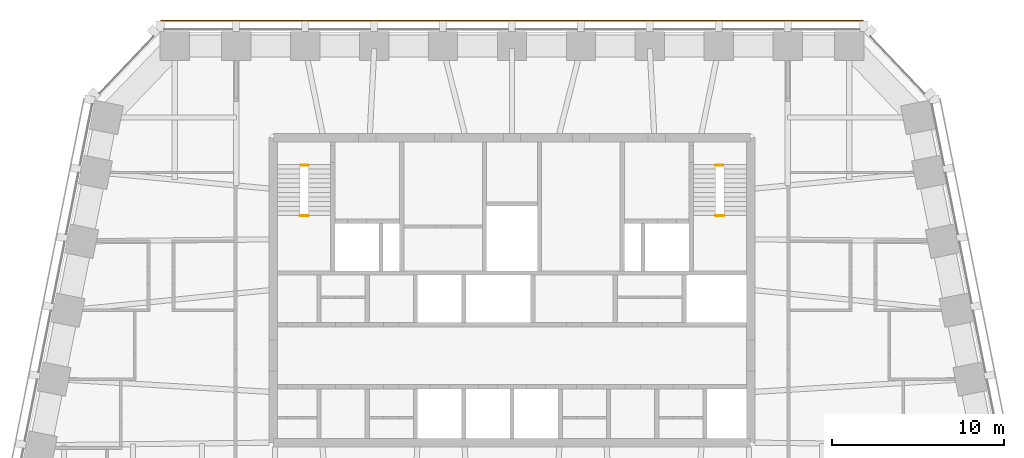
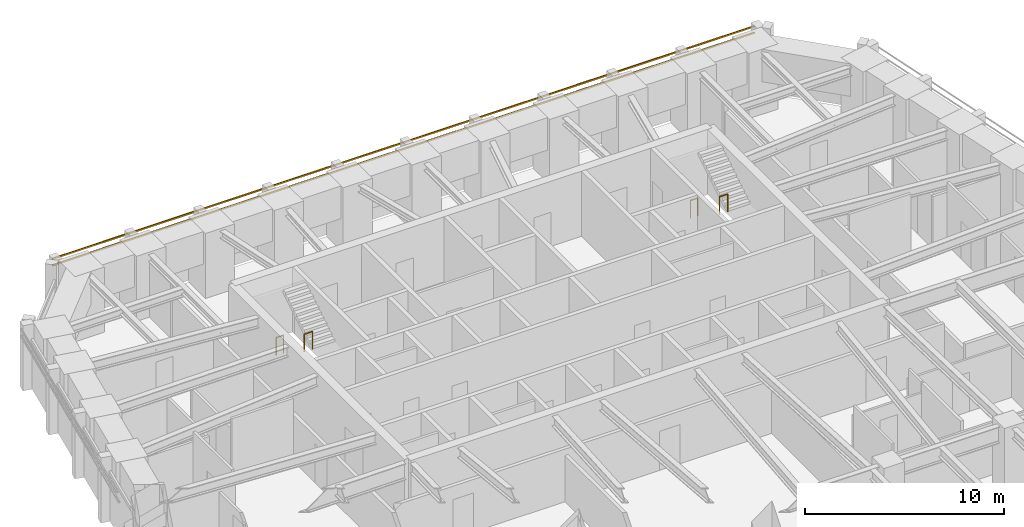
# One storey, part 11 of 11: 4 railings, 2 shading devices.
"""IFC4 building model written with IfcOpenShell, lengths in metres."""

import ifcopenshell
import ifcopenshell.guid

model = None  # the IFC model being written
_history = None  # IfcOwnerHistory: only IFC2X3 demands one
_inside = {}  # id of a spatial element -> (the spatial element, [elements in it])
_under = {}  # id of a project, library or spatial element -> (it, [spatial elements below it])
_declared = {}  # id of a project -> (the project, [libraries it declares])
_typed = {}  # id of a type object -> (the type object, [elements of that type])
_made_of = {}  # id of a material, layer set ... -> (it, [elements and type objects made of it])


def new_model(schema):
    """Start an empty IFC model of exactly this schema.

    Asked for "IFC4X3", IfcOpenShell would pick the latest addendum, in which some entities
    have other attributes; the version numbers below select the first issue.
    IFC2X3 requires an IfcOwnerHistory on every rooted entity: one is made here for all.
    """
    global model, _history
    if schema == "IFC4X3":
        model = ifcopenshell.file(schema_version=(4, 3, 0, 0))
    else:
        model = ifcopenshell.file(schema=schema)
    _inside.clear()
    _under.clear()
    _declared.clear()
    _typed.clear()
    _made_of.clear()
    _history = None
    if model.schema == "IFC2X3":
        org = make("IfcOrganization", Name="unknown")
        user = make(
            "IfcPersonAndOrganization",
            ThePerson=make("IfcPerson", FamilyName="unknown"),
            TheOrganization=org,
        )
        app = make(
            "IfcApplication",
            ApplicationDeveloper=org,
            Version="unknown",
            ApplicationFullName="unknown",
            ApplicationIdentifier="unknown",
        )
        _history = make(
            "IfcOwnerHistory",
            OwningUser=user,
            OwningApplication=app,
            ChangeAction="ADDED",
            CreationDate=0,
        )
    return model


def make(cls, **values):
    """One entity of the class cls with the attributes given. An attribute that is None is left unset."""
    return model.create_entity(
        cls, **{name: value for name, value in values.items() if value is not None}
    )


def rooted(cls, **values):
    """An entity with a GlobalId (a new one), such as an element, a storey or a relation."""
    return make(cls, GlobalId=ifcopenshell.guid.new(), OwnerHistory=_history, **values)


def si_unit(unit_type, name, prefix=None):
    """IfcSIUnit, for example si_unit("LENGTHUNIT", "METRE", prefix="MILLI")."""
    return make("IfcSIUnit", UnitType=unit_type, Prefix=prefix, Name=name)


def assignment(units):
    """IfcUnitAssignment: the units of a project."""
    return None if units is None else make("IfcUnitAssignment", Units=units)


def point(xyz):
    """IfcCartesianPoint."""
    return None if xyz is None else make("IfcCartesianPoint", Coordinates=xyz)


def direction(xyz):
    """IfcDirection."""
    return None if xyz is None else make("IfcDirection", DirectionRatios=xyz)


def frame(location, z_axis=None, x_axis=None):
    """IfcAxis2Placement3D, a coordinate frame: its origin and axes. An axis left out is left unset."""
    return make(
        "IfcAxis2Placement3D",
        Location=point(location),
        Axis=direction(z_axis),
        RefDirection=direction(x_axis),
    )


def frame_2d(location, x_axis=None):
    """IfcAxis2Placement2D, a coordinate frame in the plane: its origin and x axis."""
    return make(
        "IfcAxis2Placement2D", Location=point(location), RefDirection=direction(x_axis)
    )


def origin():
    """The frame at (0, 0, 0) with its axes left unset."""
    return frame((0.0, 0.0, 0.0))


def origin_2d():
    """The frame at (0, 0) in the plane with its x axis left unset."""
    return frame_2d((0.0, 0.0))


def place(relative_to, where):
    """IfcLocalPlacement: puts the frame where relative to a parent placement (None: the world)."""
    return make(
        "IfcLocalPlacement", PlacementRelTo=relative_to, RelativePlacement=where
    )


def context(
    kind, dimensions, precision=None, world=None, true_north=None, identifier=None
):
    """IfcGeometricRepresentationContext, for example the 3D "Model" context."""
    return make(
        "IfcGeometricRepresentationContext",
        ContextIdentifier=identifier,
        ContextType=kind,
        CoordinateSpaceDimension=dimensions,
        Precision=precision,
        WorldCoordinateSystem=world,
        TrueNorth=true_north,
    )


def subcontext(parent, identifier, kind, view, scale=None):
    """IfcGeometricRepresentationSubContext, for example "Body" below "Model"."""
    return make(
        "IfcGeometricRepresentationSubContext",
        ContextIdentifier=identifier,
        ContextType=kind,
        ParentContext=parent,
        TargetScale=scale,
        TargetView=view,
    )


def project(units=None, contexts=None):
    """IfcProject with its units and contexts."""
    return rooted(
        "IfcProject",
        Name="project",
        RepresentationContexts=contexts,
        UnitsInContext=assignment(units),
    )


def spatial(cls, under=None, at=None, **own):
    """A site, building, storey or space (cls), placed at a placement, below another one or the project."""
    s = rooted(cls, ObjectPlacement=at, **own)
    if under is not None:
        _under.setdefault(under.id(), (under, []))[1].append(s)
    return s


def profile(cls, at=None, kind="AREA", **sizes):
    """A parametric profile (cls). Its sizes go by their IFC names, for example OverallWidth=200.0."""
    return make(cls, ProfileType=kind, Position=at, **sizes)


def rectangle(**sizes):
    """IfcRectangleProfileDef."""
    return profile("IfcRectangleProfileDef", **sizes)


def circle(**sizes):
    """IfcCircleProfileDef."""
    return profile("IfcCircleProfileDef", **sizes)


def extrude(swept, where, along, depth):
    """IfcExtrudedAreaSolid: the profile swept, set in the frame where, extruded along a direction by depth."""
    return make(
        "IfcExtrudedAreaSolid",
        SweptArea=swept,
        Position=where,
        ExtrudedDirection=direction(along),
        Depth=depth,
    )


def shape(context_of_items, identifier, shape_type, items):
    """IfcShapeRepresentation: the items that make up one representation, for example the "Body"."""
    return make(
        "IfcShapeRepresentation",
        ContextOfItems=context_of_items,
        RepresentationIdentifier=identifier,
        RepresentationType=shape_type,
        Items=items,
    )


def material(Name=None, Category=None):
    """IfcMaterial."""
    return make("IfcMaterial", Name=Name, Category=Category)


def material_profile(
    of_material, cross_section, Name=None, Category=None, Priority=None
):
    """IfcMaterialProfile: a cross section and its material."""
    return make(
        "IfcMaterialProfile",
        Name=Name,
        Material=of_material,
        Profile=cross_section,
        Priority=Priority,
        Category=Category,
    )


def profile_set(profiles, Name=None, composite=None):
    """IfcMaterialProfileSet."""
    return make(
        "IfcMaterialProfileSet",
        Name=Name,
        MaterialProfiles=profiles,
        CompositeProfile=composite,
    )


def made_of(thing, what):
    """Note that an element or type object is made of a material, layer set ...; save() writes the relation."""
    if what is not None:
        _made_of.setdefault(what.id(), (what, []))[1].append(thing)
    return thing


def type_object(cls, material=None, **own):
    """A type object (cls), such as IfcWallType, which elements share."""
    return made_of(rooted(cls, **own), material)


def element(
    cls,
    number,
    at=None,
    inside=None,
    cuts=None,
    type_object=None,
    material=None,
    context=None,
    identifier="Body",
    shape_type=None,
    held_by="IfcProductDefinitionShape",
    body=None,
    shapes=None,
    **own,
):
    """One element of the class cls, such as IfcWall. Its Tag is "e" and its number.

    at: its placement. inside: the storey or other place that contains it. cuts: it is an
    opening in that element (IfcRelVoidsElement). A single representation is given by context,
    identifier, shape_type and body (its items); several are given by shapes. held_by: the class
    of the entity that holds the representations. save() writes the other relations.
    """
    e = rooted(cls, Tag="e%d" % number, ObjectPlacement=at, **own)
    if body is not None:
        shapes = [shape(context, identifier, shape_type, body)]
    if shapes is not None:
        e.Representation = make(held_by, Representations=shapes)
    if inside is not None:
        _inside.setdefault(inside.id(), (inside, []))[1].append(e)
    if cuts is not None:
        rooted(
            "IfcRelVoidsElement", RelatingBuildingElement=cuts, RelatedOpeningElement=e
        )
    if type_object is not None:
        _typed.setdefault(type_object.id(), (type_object, []))[1].append(e)
    return made_of(e, material)


def aggregate(whole, parts):
    """IfcRelAggregates: a whole, such as a stair, and the parts it consists of."""
    return rooted("IfcRelAggregates", RelatingObject=whole, RelatedObjects=parts)


def save(model, path):
    """Write the relations noted so far, then the file.

    IfcRelAggregates (storeys below a building ...), IfcRelContainedInSpatialStructure (elements
    in a storey), IfcRelDefinesByType, IfcRelAssociatesMaterial and IfcRelDeclares: one each for
    every whole, place, type object, material and project.
    """
    for whole, parts in _under.values():
        aggregate(whole, parts)
    for where, things in _inside.values():
        rooted(
            "IfcRelContainedInSpatialStructure",
            RelatedElements=things,
            RelatingStructure=where,
        )
    for kind, things in _typed.values():
        rooted("IfcRelDefinesByType", RelatedObjects=things, RelatingType=kind)
    for what, things in _made_of.values():
        rooted("IfcRelAssociatesMaterial", RelatedObjects=things, RelatingMaterial=what)
    for by, libraries in _declared.values():
        rooted("IfcRelDeclares", RelatingContext=by, RelatedDefinitions=libraries)
    model.write(path)


model = new_model("IFC4")

# Units and contexts
model_context = context("Model", 3, precision=1e-05, world=origin(), true_north=direction((0.0, 1.0)))
body_context = subcontext(model_context, "Body", "Model", "MODEL_VIEW")
ifc_project = project(units=[si_unit("LENGTHUNIT", "METRE"), si_unit("AREAUNIT", "SQUARE_METRE"), si_unit("VOLUMEUNIT", "CUBIC_METRE"), si_unit("PLANEANGLEUNIT", "RADIAN"), si_unit("MASSUNIT", "GRAM", prefix="KILO")], contexts=[model_context])

# Site, building, storey
site_placement = place(None, origin())
site = spatial("IfcSite", under=ifc_project, at=site_placement, CompositionType="ELEMENT")
building_placement = place(site_placement, origin())
building = spatial("IfcBuilding", under=site, at=building_placement, Name="Isbrekke Arena Tower", CompositionType="ELEMENT")
storey_placement = place(building_placement, frame((0.0, 0.0, 248.0)))
storey = spatial("IfcBuildingStorey", under=building, at=storey_placement, Name="L57", CompositionType="ELEMENT", Elevation=248.0)

# Shading devices
ifc_material_1 = material(Name="Terracotta", Category="masonry")
ifc_material_profile = material_profile(ifc_material_1, rectangle(XDim=0.06005859375, YDim=0.06005859375, at=origin_2d()), Name="BAGUETTE 60X60")
ifc_profile_set = profile_set([ifc_material_profile], Name="Terracotta")
shading_device_type = type_object("IfcShadingDeviceType", Name="BG1 TERRACOTTA BAGUETTE 60 x 60", PredefinedType="USERDEFINED", material=ifc_profile_set)
for number, where, z_axis, x_axis, name in (
    (1, (20.39990234375, 30.655029296875, 3.280029296875), (-1.0, 0.0, 0.0), (0.0, -1.0, 0.0), "BG1 terracotta baguette N1 L57"),
    (2, (20.39990234375, 30.655029296875, 3.679931640625), (-1.0, 0.0, 0.0), (0.0, -1.0, 0.0), "BG1 terracotta baguette N2 L57"),
):
    element("IfcShadingDevice", number, at=place(storey_placement, frame(where, z_axis=z_axis, x_axis=x_axis)), inside=storey, type_object=shading_device_type, Name=name, ObjectType="TERRACOTTA BAGUETTE", PredefinedType="USERDEFINED", context=body_context, shape_type="SweptSolid", body=[
        extrude(rectangle(XDim=0.06005859375, YDim=0.06005859375, at=origin_2d()), origin(), (0.0, 0.0, 1.0), 40.7998046875),
    ])

# Railings
ifc_material_2 = material(Name="Steel stair guard, vertical bars, steel handrail", Category="steel")
railing_type = type_object("IfcRailingType", Name="GR3 STAIR WELL GUARD 1100", PredefinedType="GUARDRAIL", material=ifc_material_2)
railing_1_placement = place(storey_placement, frame((-12.25, 22.25, 0.0)))
element("IfcRailing", 3, at=railing_1_placement, inside=storey, type_object=railing_type, Name="GR3 stair well guard ST1 L57", PredefinedType="GUARDRAIL", context=body_context, shape_type="SweptSolid", body=[
    extrude(circle(Radius=0.02392578125, at=origin_2d()), frame((0.0, 0.0, 1.076171875), z_axis=(1.0, 0.0, 0.0), x_axis=(0.0, 1.0, 0.0)), (0.0, 0.0, 1.0), 0.425048828125),
    extrude(circle(Radius=0.02099609375, at=origin_2d()), origin(), (0.0, 0.0, 1.0), 1.052001953125),
    extrude(circle(Radius=0.02099609375, at=origin_2d()), frame((0.425048828125, 0.0, 0.0)), (0.0, 0.0, 1.0), 1.052001953125),
])
railing_2_placement = place(storey_placement, frame((-12.300048828125, 19.330078125, 2.0)))
element("IfcRailing", 4, at=railing_2_placement, inside=storey, type_object=railing_type, Name="GR3 stair well guard ST1 L57", PredefinedType="GUARDRAIL", context=body_context, shape_type="SweptSolid", body=[
    extrude(circle(Radius=0.02392578125, at=origin_2d()), frame((0.0, 0.0, 1.076171875), z_axis=(1.0, 0.0, 0.0), x_axis=(0.0, 1.0, 0.0)), (0.0, 0.0, 1.0), 0.47509765625),
    extrude(circle(Radius=0.02099609375, at=origin_2d()), origin(), (0.0, 0.0, 1.0), 1.052001953125),
    extrude(circle(Radius=0.02099609375, at=origin_2d()), frame((0.47509765625, 0.0, 0.0)), (0.0, 0.0, 1.0), 1.052001953125),
])
railing_3_placement = place(storey_placement, frame((11.824951171875, 22.25, 0.0)))
element("IfcRailing", 5, at=railing_3_placement, inside=storey, type_object=railing_type, Name="GR3 stair well guard ST2 L57", PredefinedType="GUARDRAIL", context=body_context, shape_type="SweptSolid", body=[
    extrude(circle(Radius=0.02392578125, at=origin_2d()), frame((0.0, 0.0, 1.076171875), z_axis=(1.0, 0.0, 0.0), x_axis=(0.0, 1.0, 0.0)), (0.0, 0.0, 1.0), 0.425048828125),
    extrude(circle(Radius=0.02099609375, at=origin_2d()), origin(), (0.0, 0.0, 1.0), 1.052001953125),
    extrude(circle(Radius=0.02099609375, at=origin_2d()), frame((0.425048828125, 0.0, 0.0)), (0.0, 0.0, 1.0), 1.052001953125),
])
railing_4_placement = place(storey_placement, frame((11.824951171875, 19.330078125, 2.0)))
element("IfcRailing", 6, at=railing_4_placement, inside=storey, type_object=railing_type, Name="GR3 stair well guard ST2 L57", PredefinedType="GUARDRAIL", context=body_context, shape_type="SweptSolid", body=[
    extrude(circle(Radius=0.02392578125, at=origin_2d()), frame((0.0, 0.0, 1.076171875), z_axis=(1.0, 0.0, 0.0), x_axis=(0.0, 1.0, 0.0)), (0.0, 0.0, 1.0), 0.47509765625),
    extrude(circle(Radius=0.02099609375, at=origin_2d()), origin(), (0.0, 0.0, 1.0), 1.052001953125),
    extrude(circle(Radius=0.02099609375, at=origin_2d()), frame((0.47509765625, 0.0, 0.0)), (0.0, 0.0, 1.0), 1.052001953125),
])

save(model, "model.ifc")
